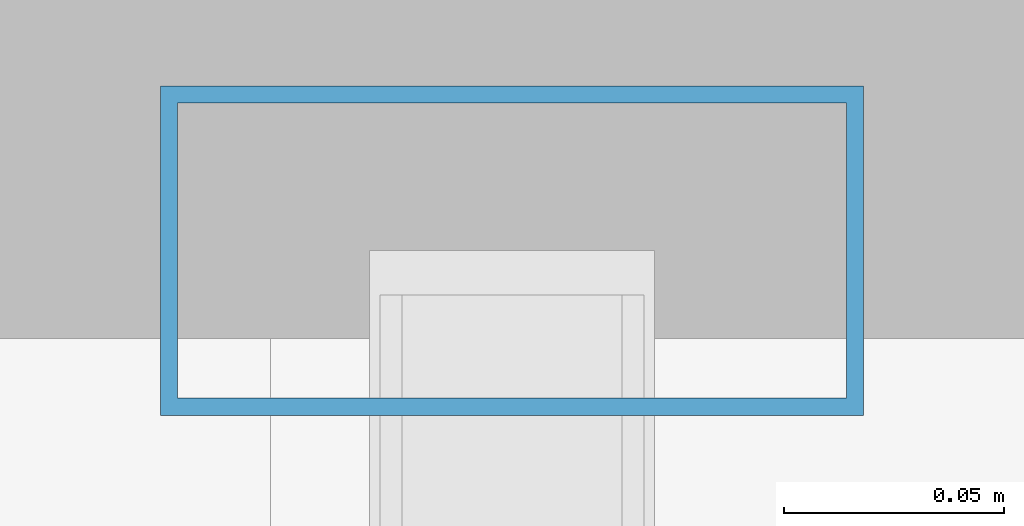
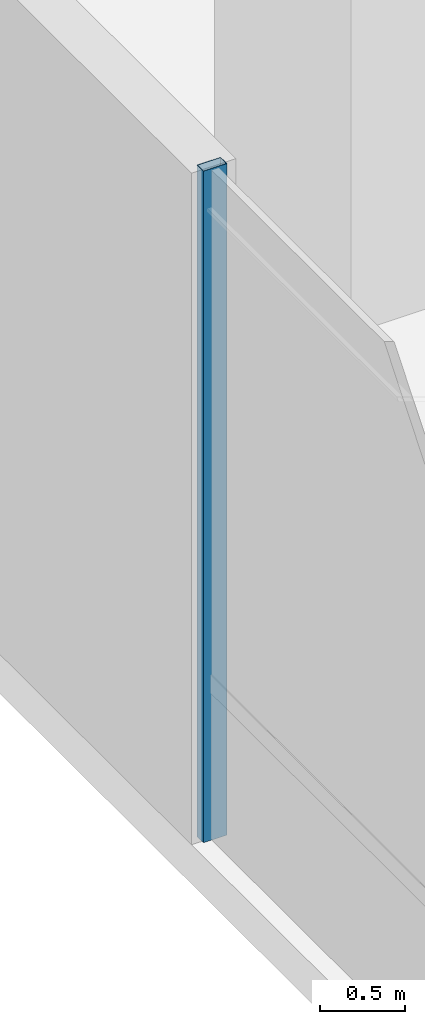
# One storey, part 12 of 39: 1 member, 1 element without a shape of its own.
"""IFC4 building model written with IfcOpenShell, lengths in metres."""

from ifc_helpers import new_model, si_unit, direction, frame, origin, origin_2d, place, context, subcontext, project, spatial, hollow_rectangle, extrude, source, transform, mapped, material, material_profile, profile_set, type_object, element, aggregate, save


model = new_model("IFC4")

# Units and contexts
model_context = context("Model", 3, precision=1e-05, world=origin(), true_north=direction((0.0, 1.0)))
body_context = subcontext(model_context, "Body", "Model", "MODEL_VIEW")
ifc_project = project(units=[si_unit("LENGTHUNIT", "METRE"), si_unit("AREAUNIT", "SQUARE_METRE"), si_unit("VOLUMEUNIT", "CUBIC_METRE"), si_unit("PLANEANGLEUNIT", "RADIAN"), si_unit("MASSUNIT", "GRAM", prefix="KILO")], contexts=[model_context])

# Site, building, storey
site_placement = place(None, origin())
site = spatial("IfcSite", under=ifc_project, at=site_placement, CompositionType="ELEMENT")
building_placement = place(site_placement, origin())
building = spatial("IfcBuilding", under=site, at=building_placement, Name="Valdorenza Pilgrim Sanctuary Tower", CompositionType="ELEMENT")
storey_placement = place(building_placement, frame((0.0, 0.0, 15.60009765625)))
storey = spatial("IfcBuildingStorey", under=building, at=storey_placement, Name="L03", CompositionType="ELEMENT", Elevation=15.60009765625)

# Curtain wall, member
ifc_material_1 = material(Name="Curtain-wall IGU glazing", Category="glass")
curtain_wall_type = type_object("IfcCurtainWallType", Name="CW-SYS-01", PredefinedType="NOTDEFINED", material=ifc_material_1)
curtain_wall_placement = place(storey_placement, origin())
curtain_wall = element("IfcCurtainWall", 1, at=curtain_wall_placement, inside=storey, type_object=curtain_wall_type, Name="L03 Curtain Wall CW-POD-L03-WW", PredefinedType="NOTDEFINED")
ifc_material_2 = material(Name="Anodised aluminium AW-6060", Category="aluminium")
ifc_material_profile = material_profile(ifc_material_2, hollow_rectangle(XDim=0.074951171875, YDim=0.159912109375, WallThickness=0.00390625, at=origin_2d()), Name="ALU-M 160x75x4")
ifc_profile_set = profile_set([ifc_material_profile], Name="Anodised aluminium AW-6060")
member_type = type_object("IfcMemberType", Name="CW-MUL-01", PredefinedType="MULLION", material=ifc_profile_set)
shared_shape = source(origin(), body_context, "Body", "SweptSolid", [
    extrude(hollow_rectangle(XDim=0.074951171875, YDim=0.159912109375, WallThickness=0.00390625, at=origin_2d()), origin(), (0.0, 0.0, 1.0), 4.7998046875),
])
member_placement = place(storey_placement, frame((-33.85009765625, 10.0, 0.0), z_axis=(0.0, 0.0, 1.0), x_axis=(0.0, 1.0, 0.0)))
member = element("IfcMember", 2, at=member_placement, type_object=member_type, Name="CW-POD-L03-WW Mullion 4", PredefinedType="MULLION", context=body_context, shape_type="MappedRepresentation", body=[
    mapped(shared_shape, transform((0.0, 0.0, 0.0), x_axis=(1.0, 0.0, 0.0), y_axis=(0.0, 1.0, 0.0), z_axis=(0.0, 0.0, 1.0), scale=1.0)),
])
aggregate(curtain_wall, [member])

save(model, "model.ifc")
